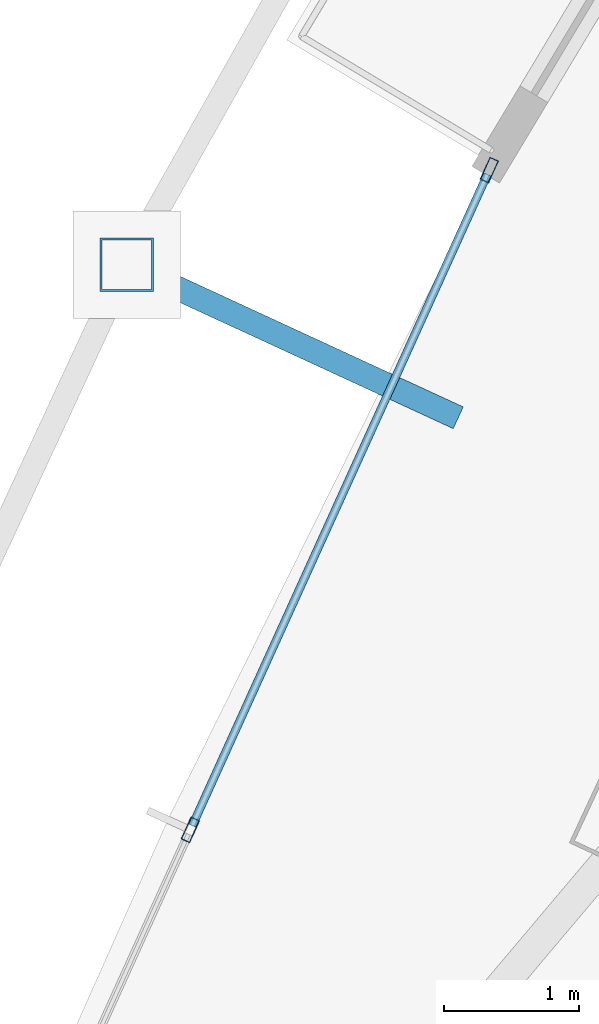
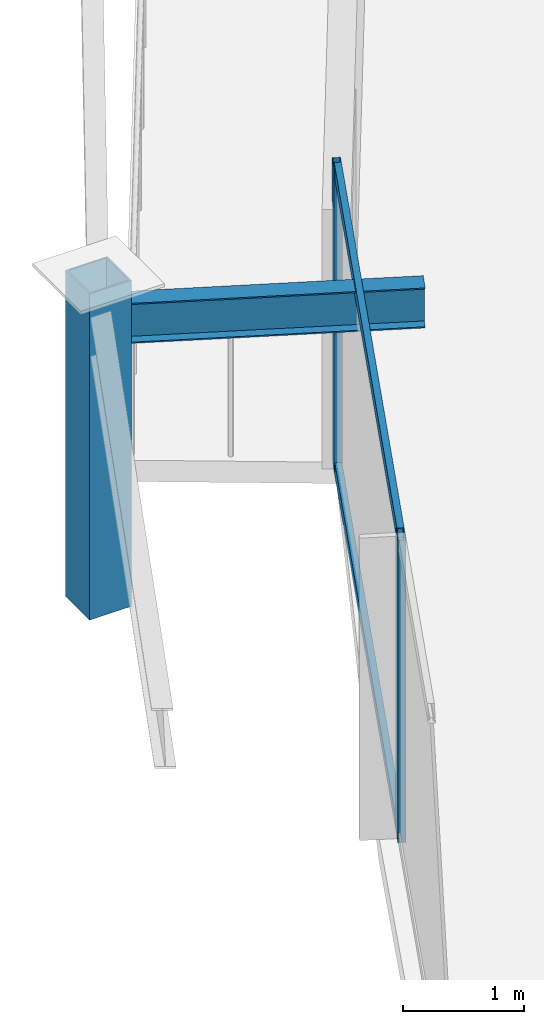
# One storey, part 10 of 29: 5 members, 1 beam, 1 element without a shape of its own.
"""IFC4 building model written with IfcOpenShell, lengths in metres."""

from ifc_helpers import new_model, si_unit, direction, frame, origin, origin_2d, place, context, subcontext, project, spatial, hollow_rectangle, i_section, extrude, material, layer, layer_set, material_profile, profile_set, type_object, element, aggregate, save


model = new_model("IFC4")

# Units and contexts
model_context = context("Model", 3, precision=1e-05, world=origin(), true_north=direction((0.0, 1.0)))
body_context = subcontext(model_context, "Body", "Model", "MODEL_VIEW")
ifc_project = project(units=[si_unit("LENGTHUNIT", "METRE"), si_unit("AREAUNIT", "SQUARE_METRE"), si_unit("VOLUMEUNIT", "CUBIC_METRE"), si_unit("PLANEANGLEUNIT", "RADIAN"), si_unit("MASSUNIT", "GRAM", prefix="KILO")], contexts=[model_context])

# Site, building, storey
site_placement = place(None, origin())
site = spatial("IfcSite", under=ifc_project, at=site_placement, CompositionType="ELEMENT")
building_placement = place(site_placement, origin())
building = spatial("IfcBuilding", under=site, at=building_placement, Name="Orvanel Arch Residences", CompositionType="ELEMENT")
storey_placement = place(building_placement, frame((0.0, 0.0, 177.050048828125)))
storey = spatial("IfcBuildingStorey", under=building, at=storey_placement, Name="L50", CompositionType="ELEMENT", Elevation=177.050048828125)

# Curtain wall, members
ifc_material_1 = material(Name="Bronze-anodised aluminium AA6063-T6", Category="aluminium")
ifc_layer = layer(ifc_material_1, 0.179931640625)
ifc_layer_set = layer_set([ifc_layer], Name="Bronze-anodised aluminium AA6063-T6")
curtain_wall_type = type_object("IfcCurtainWallType", Name="CW3-MID-SYS", PredefinedType="NOTDEFINED", material=ifc_layer_set)
curtain_wall_placement = place(storey_placement, origin())
curtain_wall = element("IfcCurtainWall", 1, at=curtain_wall_placement, inside=storey, type_object=curtain_wall_type, Name="L50 CW3-MID-SYS Unitised Curtain Wall", PredefinedType="NOTDEFINED")
ifc_material_profile_1 = material_profile(ifc_material_1, hollow_rectangle(XDim=0.070068359375, YDim=0.179931640625, WallThickness=0.00439453125, at=origin_2d()), Name="ALU180x70x4.5")
ifc_profile_set_1 = profile_set([ifc_material_profile_1], Name="Bronze-anodised aluminium AA6063-T6")
member_type_1 = type_object("IfcMemberType", Name="MUL-180x70", PredefinedType="MULLION", material=ifc_profile_set_1)
member_1_placement = place(storey_placement, frame((15.20751953125, 24.43115234375, 0.0), z_axis=(0.0, 0.0, 1.0), x_axis=(0.910855054441, -0.412726386119, 0.0)))
member_1 = element("IfcMember", 2, at=member_1_placement, type_object=member_type_1, Name="CW-S3 mullion 1", PredefinedType="MULLION", context=body_context, shape_type="SweptSolid", body=[
    extrude(hollow_rectangle(XDim=0.070068359375, YDim=0.179931640625, WallThickness=0.00439453125, at=origin_2d()), origin(), (0.0, 0.0, 1.0), 3.06005859375),
])
member_2_placement = place(storey_placement, frame((12.987548828125, 19.531982421875, 0.0), z_axis=(0.0, 0.0, 1.0), x_axis=(0.910855054441, -0.412726386119, 0.0)))
member_2 = element("IfcMember", 3, at=member_2_placement, type_object=member_type_1, Name="CW-S3 mullion 2", PredefinedType="MULLION", context=body_context, shape_type="SweptSolid", body=[
    extrude(hollow_rectangle(XDim=0.070068359375, YDim=0.179931640625, WallThickness=0.00439453125, at=origin_2d()), origin(), (0.0, 0.0, 1.0), 3.06005859375),
])

# Beam
ifc_material_2 = material(Name="Structural steel AS/NZS 3679.1 Grade 300 (300 MPa)", Category="steel")
ifc_material_profile_2 = material_profile(ifc_material_2, i_section(OverallWidth=0.177978515625, OverallDepth=0.406005859375, WebThickness=0.0078125, FlangeThickness=0.0126953125, at=origin_2d()), Name="410UB59.7")
ifc_profile_set_2 = profile_set([ifc_material_profile_2], Name="Structural steel AS/NZS 3679.1 Grade 300 (300 MPa)")
beam_type = type_object("IfcBeamType", Name="OB-410UB-EXT", PredefinedType="SPANDREL", material=ifc_profile_set_2)
beam_placement = place(storey_placement, frame((14.97705078125, 22.592041015625, 2.85693359375), z_axis=(-0.908014715884, 0.418938271989, 0.0), x_axis=(-0.418938271989, -0.908014715884, 0.0)))
element("IfcBeam", 4, at=beam_placement, inside=storey, type_object=beam_type, Name="L50 Outer Frame Radial Tie Beam 03", PredefinedType="SPANDREL", context=body_context, shape_type="SweptSolid", body=[
    extrude(i_section(OverallWidth=0.177978515625, OverallDepth=0.406005859375, WebThickness=0.0078125, FlangeThickness=0.0126953125, at=origin_2d()), origin(), (0.0, 0.0, 1.0), 2.711669921875),
])

# Member
ifc_material_3 = material(Name="Structural steel AS/NZS 1163 C450L0 (Grade 450)", Category="steel")
ifc_material_profile_3 = material_profile(ifc_material_3, hollow_rectangle(XDim=0.39990234375, YDim=0.39990234375, WallThickness=0.01611328125, at=origin_2d()), Name="SHS400x400x16")
ifc_profile_set_3 = profile_set([ifc_material_profile_3], Name="Structural steel AS/NZS 1163 C450L0 (Grade 450)")
member_type_2 = type_object("IfcMemberType", Name="ST-400SHS-EXT", PredefinedType="STRUT", material=ifc_profile_set_3)
member_3_placement = place(storey_placement, frame((12.514892578125, 23.72802734375, 0.0), z_axis=(0.0, 0.0, 1.0), x_axis=(1.0, 0.0, 0.0)))
element("IfcMember", 5, at=member_3_placement, inside=storey, type_object=member_type_2, Name="L50 Outer Perimeter Frame Post 03", PredefinedType="STRUT", context=body_context, shape_type="SweptSolid", body=[
    extrude(hollow_rectangle(XDim=0.39990234375, YDim=0.39990234375, WallThickness=0.01611328125, at=origin_2d()), origin(), (0.0, 0.0, 1.0), 3.300048828125),
])

ifc_material_profile_4 = material_profile(ifc_material_1, hollow_rectangle(XDim=0.06005859375, YDim=0.135009765625, WallThickness=0.00390625, at=origin_2d()), Name="ALU135x60x4")
ifc_profile_set_4 = profile_set([ifc_material_profile_4], Name="Bronze-anodised aluminium AA6063-T6")
member_type_3 = type_object("IfcMemberType", Name="TRN-135x60", PredefinedType="USERDEFINED", material=ifc_profile_set_4)
member_4_placement = place(storey_placement, frame((15.193115234375, 24.399169921875, 0.030029296875), z_axis=(-0.412725011307, -0.910855677394, 0.0), x_axis=(0.910855677394, -0.412725011307, 0.0)))
member_4 = element("IfcMember", 6, at=member_4_placement, type_object=member_type_3, Name="CW-S3 transom 1.1", ObjectType="TRANSOM", PredefinedType="USERDEFINED", context=body_context, shape_type="SweptSolid", body=[
    extrude(hollow_rectangle(XDim=0.06005859375, YDim=0.135009765625, WallThickness=0.00390625, at=origin_2d()), origin(), (0.0, 0.0, 1.0), 5.308349609375),
])

member_5_placement = place(storey_placement, frame((15.193115234375, 24.399169921875, 3.030029296875), z_axis=(-0.412725011307, -0.910855677394, 0.0), x_axis=(0.910855677394, -0.412725011307, 0.0)))
member_5 = element("IfcMember", 7, at=member_5_placement, type_object=member_type_3, Name="CW-S3 transom 1.2", ObjectType="TRANSOM", PredefinedType="USERDEFINED", context=body_context, shape_type="SweptSolid", body=[
    extrude(hollow_rectangle(XDim=0.06005859375, YDim=0.135009765625, WallThickness=0.00390625, at=origin_2d()), origin(), (0.0, 0.0, 1.0), 5.308349609375),
])

aggregate(curtain_wall, [member_1, member_2, member_4, member_5])

save(model, "model.ifc")
